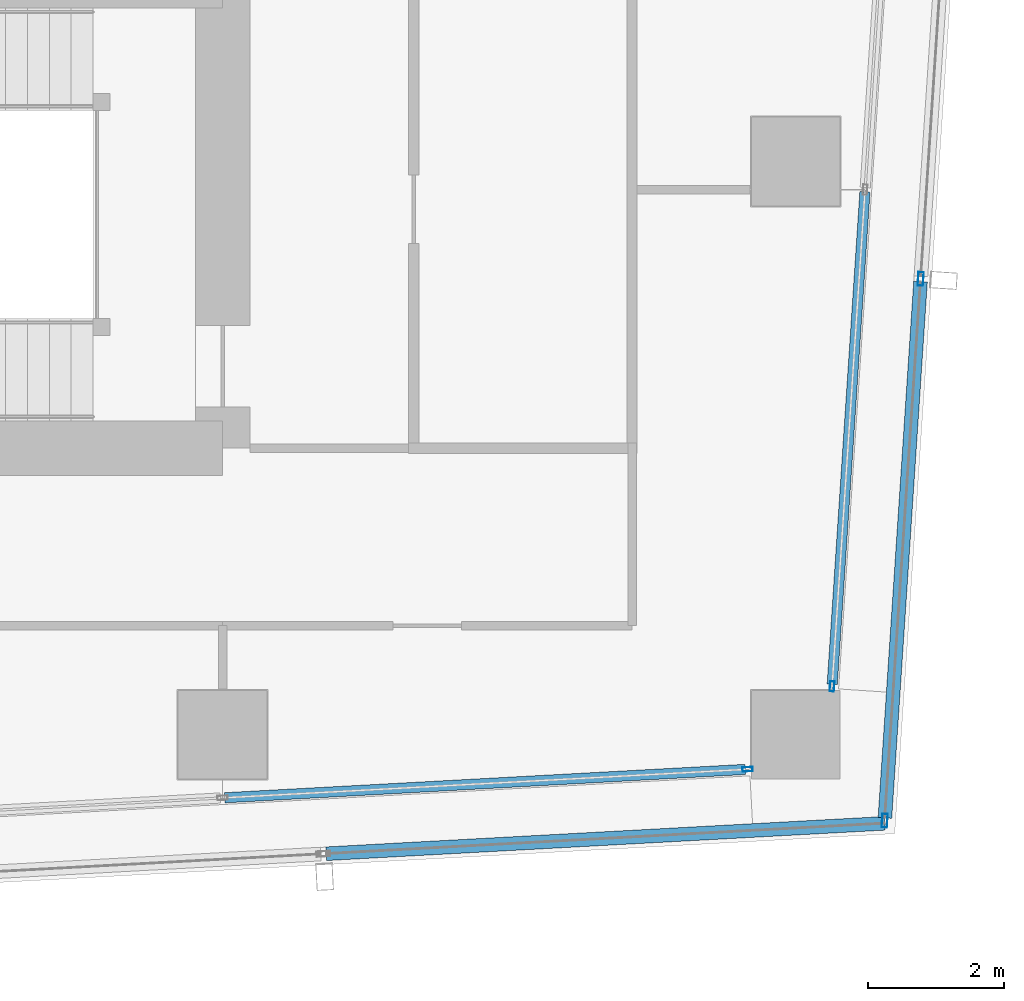
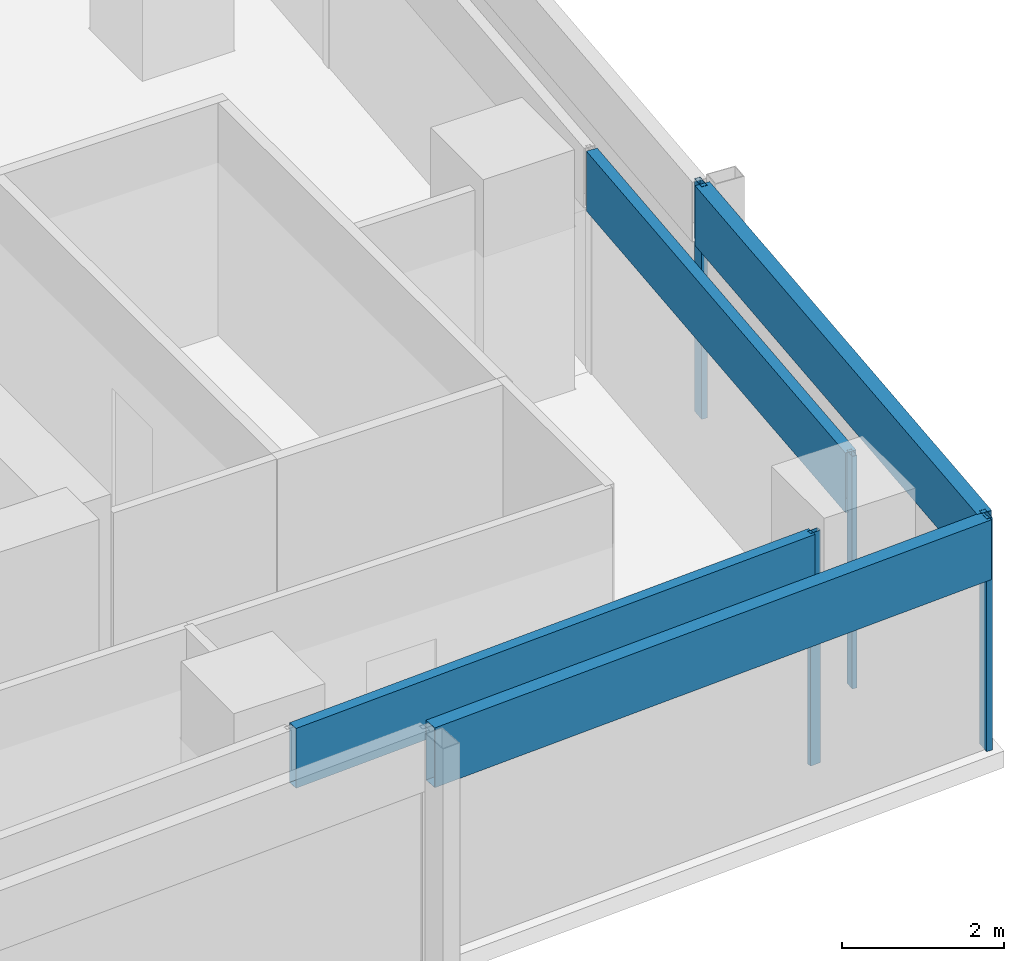
# One storey, part 11 of 30: 8 members, 4 elements without a shape of their own.
"""IFC4 building model written with IfcOpenShell, lengths in metres."""

from ifc_helpers import new_model, si_unit, direction, frame, origin, origin_2d, place, context, subcontext, project, spatial, hollow_rectangle, extrude, material, material_profile, profile_set, type_object, element, aggregate, save


model = new_model("IFC4")

# Units and contexts
model_context = context("Model", 3, precision=1e-05, world=origin(), true_north=direction((0.0, 1.0)))
body_context = subcontext(model_context, "Body", "Model", "MODEL_VIEW")
ifc_project = project(units=[si_unit("LENGTHUNIT", "METRE"), si_unit("AREAUNIT", "SQUARE_METRE"), si_unit("VOLUMEUNIT", "CUBIC_METRE"), si_unit("PLANEANGLEUNIT", "RADIAN"), si_unit("MASSUNIT", "GRAM", prefix="KILO")], contexts=[model_context])

# Site, building, storey
site_placement = place(None, origin())
site = spatial("IfcSite", under=ifc_project, at=site_placement, CompositionType="ELEMENT")
building_placement = place(site_placement, origin())
building = spatial("IfcBuilding", under=site, at=building_placement, Name="Rekha Terrace Tower", CompositionType="ELEMENT")
storey_placement = place(building_placement, frame((0.0, 0.0, 265.10009765625)))
storey = spatial("IfcBuildingStorey", under=building, at=storey_placement, Name="L67", CompositionType="ELEMENT", Elevation=265.10009765625)

# Curtain wall, member
ifc_material_1 = material(Name="Aluminium framing", Category="aluminium")
curtain_wall_type_1 = type_object("IfcCurtainWallType", Name="CW1 double skin inner glazing", PredefinedType="USERDEFINED", material=ifc_material_1)
curtain_wall_1_placement = place(storey_placement, origin())
curtain_wall_1 = element("IfcCurtainWall", 1, at=curtain_wall_1_placement, inside=storey, type_object=curtain_wall_type_1, Name="CW1 double skin inner glazing", ObjectType="DOUBLE SKIN INNER GLAZING", PredefinedType="USERDEFINED")
ifc_material_2 = material(Name="Aluminium mullion section", Category="aluminium")
ifc_material_profile_1 = material_profile(ifc_material_2, hollow_rectangle(XDim=0.06494140625, YDim=0.14990234375, WallThickness=0.00390625, at=origin_2d()), Name="AL RHS 65x150")
ifc_profile_set_1 = profile_set([ifc_material_profile_1], Name="Aluminium mullion section")
member_type_1 = type_object("IfcMemberType", Name="CW1 mullion RHS 65 x 150", PredefinedType="MULLION", material=ifc_profile_set_1)
member_1_placement = place(storey_placement, frame((58.092529296875, 16.2939453125, 0.0), z_axis=(0.0, 0.0, 1.0), x_axis=(-0.054388903036, 0.998519828159, 0.0)))
member_1 = element("IfcMember", 2, at=member_1_placement, type_object=member_type_1, Name="CW1 mullion 5", PredefinedType="MULLION", context=body_context, shape_type="SweptSolid", body=[
    extrude(hollow_rectangle(XDim=0.06494140625, YDim=0.14990234375, WallThickness=0.00390625, at=origin_2d()), origin(), (0.0, 0.0, 1.0), 3.5),
])

curtain_wall_2_placement = place(storey_placement, origin())
curtain_wall_2 = element("IfcCurtainWall", 3, at=curtain_wall_2_placement, inside=storey, type_object=curtain_wall_type_1, Name="CW1 double skin inner glazing", ObjectType="DOUBLE SKIN INNER GLAZING", PredefinedType="USERDEFINED")
member_2_placement = place(storey_placement, frame((59.3310546875, 17.5087890625, 0.0), z_axis=(0.0, 0.0, 1.0), x_axis=(-0.997801621769, 0.066271589649, 0.0)))
member_2 = element("IfcMember", 4, at=member_2_placement, type_object=member_type_1, Name="CW1 mullion 1", PredefinedType="MULLION", context=body_context, shape_type="SweptSolid", body=[
    extrude(hollow_rectangle(XDim=0.06494140625, YDim=0.14990234375, WallThickness=0.00390625, at=origin_2d()), origin(), (0.0, 0.0, 1.0), 3.5),
])

# Member
ifc_material_3 = material(Name="Insulated aluminium spandrel box", Category="aluminium")
ifc_material_profile_2 = material_profile(ifc_material_3, hollow_rectangle(XDim=0.14990234375, YDim=0.89990234375, WallThickness=0.0029296875, at=origin_2d()), Name="AL SPANDREL BOX 150x900")
ifc_profile_set_2 = profile_set([ifc_material_profile_2], Name="Insulated aluminium spandrel box")
member_type_2 = type_object("IfcMemberType", Name="CW1 spandrel transom 150 x 900", PredefinedType="USERDEFINED", material=ifc_profile_set_2)
member_3_placement = place(storey_placement, frame((50.431640625, 15.876708984375, 3.0498046875), z_axis=(0.998519749799, 0.054390341617, 0.0), x_axis=(-0.054390341617, 0.998519749799, 0.0)))
member_3 = element("IfcMember", 5, at=member_3_placement, type_object=member_type_2, Name="CW1 spandrel transom 4", ObjectType="TRANSOM", PredefinedType="USERDEFINED", context=body_context, shape_type="SweptSolid", body=[
    extrude(hollow_rectangle(XDim=0.14990234375, YDim=0.89990234375, WallThickness=0.0029296875, at=origin_2d()), origin(), (0.0, 0.0, 1.0), 7.6396484375),
])

aggregate(curtain_wall_1, [member_1, member_3])

member_4_placement = place(storey_placement, frame((59.333251953125, 17.541015625, 3.0498046875), z_axis=(0.066261233081, 0.997802309574, 0.0), x_axis=(-0.997802309574, 0.066261233081, 0.0)))
member_4 = element("IfcMember", 6, at=member_4_placement, type_object=member_type_2, Name="CW1 spandrel transom 1", ObjectType="TRANSOM", PredefinedType="USERDEFINED", context=body_context, shape_type="SweptSolid", body=[
    extrude(hollow_rectangle(XDim=0.14990234375, YDim=0.89990234375, WallThickness=0.0029296875, at=origin_2d()), origin(), (0.0, 0.0, 1.0), 7.22900390625),
])

aggregate(curtain_wall_2, [member_2, member_4])

# Curtain wall, members
curtain_wall_type_2 = type_object("IfcCurtainWallType", Name="CW2 double skin outer glazing", PredefinedType="USERDEFINED", material=ifc_material_1)
curtain_wall_3_placement = place(storey_placement, origin())
curtain_wall_3 = element("IfcCurtainWall", 7, at=curtain_wall_3_placement, inside=storey, type_object=curtain_wall_type_2, Name="CW2 double skin outer glazing", ObjectType="DOUBLE SKIN OUTER GLAZING", PredefinedType="USERDEFINED")
ifc_material_profile_3 = material_profile(ifc_material_2, hollow_rectangle(XDim=0.080078125, YDim=0.199951171875, WallThickness=0.00390625, at=origin_2d()), Name="AL RHS 80x200")
ifc_profile_set_3 = profile_set([ifc_material_profile_3], Name="Aluminium mullion section")
member_type_3 = type_object("IfcMemberType", Name="CW2 mullion RHS 80 x 200", PredefinedType="MULLION", material=ifc_profile_set_3)
member_5_placement = place(storey_placement, frame((60.102294921875, 15.5419921875, 0.0), z_axis=(0.0, 0.0, 1.0), x_axis=(-0.997801621769, 0.066271589649, 0.0)))
member_5 = element("IfcMember", 8, at=member_5_placement, type_object=member_type_3, Name="CW2 mullion 1", PredefinedType="MULLION", context=body_context, shape_type="SweptSolid", body=[
    extrude(hollow_rectangle(XDim=0.080078125, YDim=0.199951171875, WallThickness=0.00390625, at=origin_2d()), origin(), (0.0, 0.0, 1.0), 3.5),
])
member_6_placement = place(storey_placement, frame((60.629638671875, 23.479736328125, 0.0), z_axis=(0.0, 0.0, 1.0), x_axis=(-0.997801621769, 0.066271589649, 0.0)))
member_6 = element("IfcMember", 9, at=member_6_placement, type_object=member_type_3, Name="CW2 mullion 2", PredefinedType="MULLION", context=body_context, shape_type="SweptSolid", body=[
    extrude(hollow_rectangle(XDim=0.080078125, YDim=0.199951171875, WallThickness=0.00390625, at=origin_2d()), origin(), (0.0, 0.0, 1.0), 3.5),
])

# Curtain wall, member
curtain_wall_4_placement = place(storey_placement, origin())
curtain_wall_4 = element("IfcCurtainWall", 10, at=curtain_wall_4_placement, inside=storey, type_object=curtain_wall_type_2, Name="CW2 double skin outer glazing", ObjectType="DOUBLE SKIN OUTER GLAZING", PredefinedType="USERDEFINED")
ifc_material_profile_4 = material_profile(ifc_material_3, hollow_rectangle(XDim=0.199951171875, YDim=0.89990234375, WallThickness=0.0029296875, at=origin_2d()), Name="AL SPANDREL BOX 200x900")
ifc_profile_set_4 = profile_set([ifc_material_profile_4], Name="Insulated aluminium spandrel box")
member_type_4 = type_object("IfcMemberType", Name="CW2 spandrel transom 200 x 900", PredefinedType="USERDEFINED", material=ifc_profile_set_4)
member_7_placement = place(storey_placement, frame((51.91650390625, 15.056396484375, 3.0498046875), z_axis=(0.998521064062, 0.054366208476, 0.0), x_axis=(-0.054366208476, 0.998521064062, 0.0)))
member_7 = element("IfcMember", 11, at=member_7_placement, type_object=member_type_4, Name="CW2 spandrel transom 4", ObjectType="TRANSOM", PredefinedType="USERDEFINED", context=body_context, shape_type="SweptSolid", body=[
    extrude(hollow_rectangle(XDim=0.199951171875, YDim=0.89990234375, WallThickness=0.0029296875, at=origin_2d()), origin(), (0.0, 0.0, 1.0), 8.195556640625),
])
aggregate(curtain_wall_4, [member_7])

# Member
member_8_placement = place(storey_placement, frame((60.10498046875, 15.581787109375, 3.0498046875), z_axis=(0.066280327672, 0.997801041372, 0.0), x_axis=(-0.997801041372, 0.066280327672, 0.0)))
member_8 = element("IfcMember", 12, at=member_8_placement, type_object=member_type_4, Name="CW2 spandrel transom 1", ObjectType="TRANSOM", PredefinedType="USERDEFINED", context=body_context, shape_type="SweptSolid", body=[
    extrude(hollow_rectangle(XDim=0.199951171875, YDim=0.89990234375, WallThickness=0.0029296875, at=origin_2d()), origin(), (0.0, 0.0, 1.0), 7.875244140625),
])

aggregate(curtain_wall_3, [member_5, member_6, member_8])

save(model, "model.ifc")
